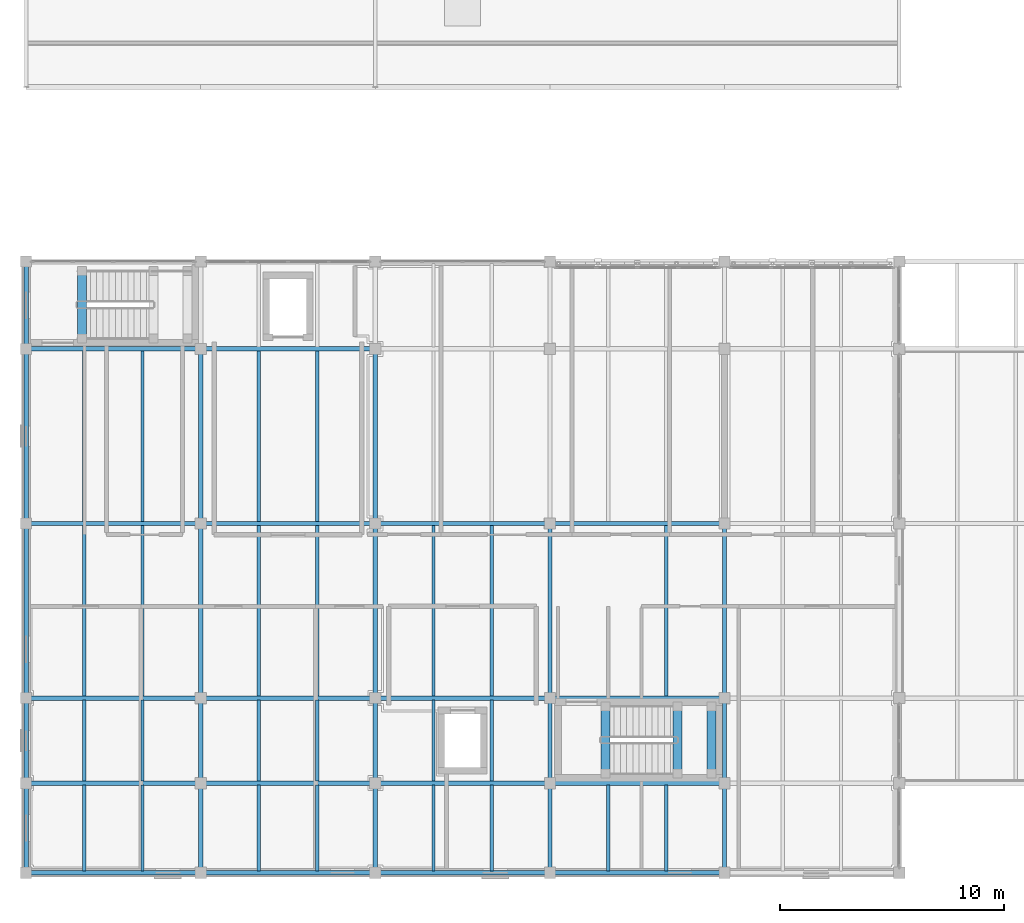
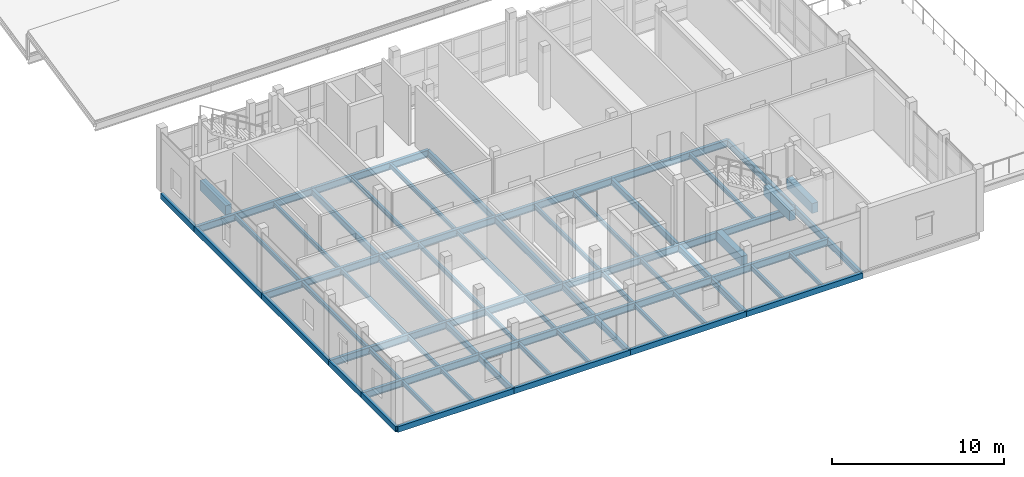
# One storey, part 5 of 89: 66 beams.
"""IFC4 building model written with IfcOpenShell, lengths in metres."""

from ifc_helpers import new_model, si_unit, direction, frame, origin, origin_2d, place, context, subcontext, project, spatial, rectangle, hollow_rectangle, i_section, extrude, material, material_profile, profile_set, type_object, element, save


model = new_model("IFC4")

# Units and contexts
model_context = context("Model", 3, precision=1e-05, world=origin(), true_north=direction((0.0, 1.0)))
body_context = subcontext(model_context, "Body", "Model", "MODEL_VIEW")
ifc_project = project(units=[si_unit("LENGTHUNIT", "METRE"), si_unit("AREAUNIT", "SQUARE_METRE"), si_unit("VOLUMEUNIT", "CUBIC_METRE"), si_unit("PLANEANGLEUNIT", "RADIAN"), si_unit("MASSUNIT", "GRAM", prefix="KILO")], contexts=[model_context])

# Site, building, storey
site_placement = place(None, origin())
site = spatial("IfcSite", under=ifc_project, at=site_placement, CompositionType="ELEMENT")
building_placement = place(site_placement, origin())
building = spatial("IfcBuilding", under=site, at=building_placement, Name="Celorna Specialist Clinic", CompositionType="ELEMENT")
storey_placement = place(building_placement, frame((0.0, 0.0, 14.10009765625)))
storey = spatial("IfcBuildingStorey", under=building, at=storey_placement, Name="L03", CompositionType="ELEMENT", Elevation=14.10009765625)

# Beams
ifc_material_1 = material(Name="Steel S355", Category="steel")
ifc_material_profile_1 = material_profile(ifc_material_1, i_section(OverallWidth=0.199951171875, OverallDepth=0.5, WebThickness=0.01025390625, FlangeThickness=0.01611328125, at=origin_2d()), Name="IPE 500")
ifc_profile_set_1 = profile_set([ifc_material_profile_1], Name="Steel S355")
beam_type_1 = type_object("IfcBeamType", Name="BM-08", PredefinedType="BEAM", material=ifc_profile_set_1)
for number, where, z_axis, x_axis, name in (
    (1, (0.0, 4.0, -0.510009765625), (1.0, 0.0, 0.0), (0.0, 1.0, 0.0), "Primary girder BM-08 #1830"),
    (2, (7.800048828125, 4.0, -0.510009765625), (1.0, 0.0, 0.0), (0.0, 1.0, 0.0), "Primary girder BM-08 #1831"),
):
    element("IfcBeam", number, at=place(storey_placement, frame(where, z_axis=z_axis, x_axis=x_axis)), inside=storey, type_object=beam_type_1, Name=name, PredefinedType="BEAM", context=body_context, shape_type="SweptSolid", body=[
        extrude(i_section(OverallWidth=0.199951171875, OverallDepth=0.5, WebThickness=0.01025390625, FlangeThickness=0.01611328125, at=origin_2d()), origin(), (0.0, 0.0, 1.0), 7.800048828125),
    ])
beam_1_placement = place(storey_placement, frame((15.60009765625, 4.0, -0.510009765625), z_axis=(1.0, 0.0, 0.0), x_axis=(0.0, 1.0, 0.0)))
element("IfcBeam", 3, at=beam_1_placement, inside=storey, type_object=beam_type_1, Name="Primary girder BM-08 #1832", PredefinedType="BEAM", context=body_context, shape_type="SweptSolid", body=[
    extrude(i_section(OverallWidth=0.199951171875, OverallDepth=0.5, WebThickness=0.01025390625, FlangeThickness=0.01611328125, at=origin_2d()), origin(), (0.0, 0.0, 1.0), 7.7998046875),
])
for number, where, z_axis, x_axis, name in (
    (4, (23.39990234375, 4.0, -0.510009765625), (1.0, 0.0, 0.0), (0.0, 1.0, 0.0), "Primary girder BM-08 #1833"),
    (5, (0.0, 7.800048828125, -0.510009765625), (1.0, 0.0, 0.0), (0.0, 1.0, 0.0), "Primary girder BM-08 #1835"),
    (6, (7.800048828125, 7.800048828125, -0.510009765625), (1.0, 0.0, 0.0), (0.0, 1.0, 0.0), "Primary girder BM-08 #1836"),
):
    element("IfcBeam", number, at=place(storey_placement, frame(where, z_axis=z_axis, x_axis=x_axis)), inside=storey, type_object=beam_type_1, Name=name, PredefinedType="BEAM", context=body_context, shape_type="SweptSolid", body=[
        extrude(i_section(OverallWidth=0.199951171875, OverallDepth=0.5, WebThickness=0.01025390625, FlangeThickness=0.01611328125, at=origin_2d()), origin(), (0.0, 0.0, 1.0), 7.800048828125),
    ])
beam_2_placement = place(storey_placement, frame((15.60009765625, 7.800048828125, -0.510009765625), z_axis=(1.0, 0.0, 0.0), x_axis=(0.0, 1.0, 0.0)))
element("IfcBeam", 7, at=beam_2_placement, inside=storey, type_object=beam_type_1, Name="Primary girder BM-08 #1837", PredefinedType="BEAM", context=body_context, shape_type="SweptSolid", body=[
    extrude(i_section(OverallWidth=0.199951171875, OverallDepth=0.5, WebThickness=0.01025390625, FlangeThickness=0.01611328125, at=origin_2d()), origin(), (0.0, 0.0, 1.0), 7.7998046875),
])
for number, where, z_axis, x_axis, name in (
    (8, (23.39990234375, 7.800048828125, -0.510009765625), (1.0, 0.0, 0.0), (0.0, 1.0, 0.0), "Primary girder BM-08 #1838"),
    (9, (0.0, 15.60009765625, -0.510009765625), (1.0, 0.0, 0.0), (0.0, 1.0, 0.0), "Primary girder BM-08 #1840"),
    (10, (7.800048828125, 15.60009765625, -0.510009765625), (1.0, 0.0, 0.0), (0.0, 1.0, 0.0), "Primary girder BM-08 #1841"),
):
    element("IfcBeam", number, at=place(storey_placement, frame(where, z_axis=z_axis, x_axis=x_axis)), inside=storey, type_object=beam_type_1, Name=name, PredefinedType="BEAM", context=body_context, shape_type="SweptSolid", body=[
        extrude(i_section(OverallWidth=0.199951171875, OverallDepth=0.5, WebThickness=0.01025390625, FlangeThickness=0.01611328125, at=origin_2d()), origin(), (0.0, 0.0, 1.0), 7.800048828125),
    ])
beam_3_placement = place(storey_placement, frame((15.60009765625, 15.60009765625, -0.510009765625), z_axis=(1.0, 0.0, 0.0), x_axis=(0.0, 1.0, 0.0)))
element("IfcBeam", 11, at=beam_3_placement, inside=storey, type_object=beam_type_1, Name="Primary girder BM-08 #1842", PredefinedType="BEAM", context=body_context, shape_type="SweptSolid", body=[
    extrude(i_section(OverallWidth=0.199951171875, OverallDepth=0.5, WebThickness=0.01025390625, FlangeThickness=0.01611328125, at=origin_2d()), origin(), (0.0, 0.0, 1.0), 7.7998046875),
])
for number, where, z_axis, x_axis, name in (
    (12, (23.39990234375, 15.60009765625, -0.510009765625), (1.0, 0.0, 0.0), (0.0, 1.0, 0.0), "Primary girder BM-08 #1843"),
    (13, (0.0, 23.39990234375, -0.510009765625), (1.0, 0.0, 0.0), (0.0, 1.0, 0.0), "Primary girder BM-08 #1845"),
    (14, (7.800048828125, 23.39990234375, -0.510009765625), (1.0, 0.0, 0.0), (0.0, 1.0, 0.0), "Primary girder BM-08 #1846"),
):
    element("IfcBeam", number, at=place(storey_placement, frame(where, z_axis=z_axis, x_axis=x_axis)), inside=storey, type_object=beam_type_1, Name=name, PredefinedType="BEAM", context=body_context, shape_type="SweptSolid", body=[
        extrude(i_section(OverallWidth=0.199951171875, OverallDepth=0.5, WebThickness=0.01025390625, FlangeThickness=0.01611328125, at=origin_2d()), origin(), (0.0, 0.0, 1.0), 7.800048828125),
    ])
ifc_material_profile_2 = material_profile(ifc_material_1, i_section(OverallWidth=0.18994140625, OverallDepth=0.449951171875, WebThickness=0.009521484375, FlangeThickness=0.0146484375, at=origin_2d()), Name="IPE 450")
ifc_profile_set_2 = profile_set([ifc_material_profile_2], Name="Steel S355")
beam_type_2 = type_object("IfcBeamType", Name="BM-09", PredefinedType="BEAM", material=ifc_profile_set_2)
beam_4_placement = place(storey_placement, frame((7.800048828125, 0.0, -0.485107421875), z_axis=(0.0, 1.0, 0.0), x_axis=(-1.0, 0.0, 0.0)))
element("IfcBeam", 15, at=beam_4_placement, inside=storey, type_object=beam_type_2, Name="Transverse girder BM-09 #1860", PredefinedType="BEAM", context=body_context, shape_type="SweptSolid", body=[
    extrude(i_section(OverallWidth=0.18994140625, OverallDepth=0.449951171875, WebThickness=0.009521484375, FlangeThickness=0.0146484375, at=origin_2d()), origin(), (0.0, 0.0, 1.0), 4.0),
])
beam_5_placement = place(storey_placement, frame((7.800048828125, 4.0, -0.485107421875), z_axis=(0.0, 1.0, 0.0), x_axis=(-1.0, 0.0, 0.0)))
element("IfcBeam", 16, at=beam_5_placement, inside=storey, type_object=beam_type_2, Name="Transverse girder BM-09 #1861", PredefinedType="BEAM", context=body_context, shape_type="SweptSolid", body=[
    extrude(i_section(OverallWidth=0.18994140625, OverallDepth=0.449951171875, WebThickness=0.009521484375, FlangeThickness=0.0146484375, at=origin_2d()), origin(), (0.0, 0.0, 1.0), 3.800048828125),
])
beam_6_placement = place(storey_placement, frame((7.800048828125, 7.800048828125, -0.485107421875), z_axis=(0.0, 1.0, 0.0), x_axis=(-1.0, 0.0, 0.0)))
element("IfcBeam", 17, at=beam_6_placement, inside=storey, type_object=beam_type_2, Name="Transverse girder BM-09 #1862", PredefinedType="BEAM", context=body_context, shape_type="SweptSolid", body=[
    extrude(i_section(OverallWidth=0.18994140625, OverallDepth=0.449951171875, WebThickness=0.009521484375, FlangeThickness=0.0146484375, at=origin_2d()), origin(), (0.0, 0.0, 1.0), 7.800048828125),
])
beam_7_placement = place(storey_placement, frame((7.800048828125, 15.60009765625, -0.485107421875), z_axis=(0.0, 1.0, 0.0), x_axis=(-1.0, 0.0, 0.0)))
element("IfcBeam", 18, at=beam_7_placement, inside=storey, type_object=beam_type_2, Name="Transverse girder BM-09 #1863", PredefinedType="BEAM", context=body_context, shape_type="SweptSolid", body=[
    extrude(i_section(OverallWidth=0.18994140625, OverallDepth=0.449951171875, WebThickness=0.009521484375, FlangeThickness=0.0146484375, at=origin_2d()), origin(), (0.0, 0.0, 1.0), 7.7998046875),
])
beam_8_placement = place(storey_placement, frame((15.60009765625, 0.0, -0.485107421875), z_axis=(0.0, 1.0, 0.0), x_axis=(-1.0, 0.0, 0.0)))
element("IfcBeam", 19, at=beam_8_placement, inside=storey, type_object=beam_type_2, Name="Transverse girder BM-09 #1865", PredefinedType="BEAM", context=body_context, shape_type="SweptSolid", body=[
    extrude(i_section(OverallWidth=0.18994140625, OverallDepth=0.449951171875, WebThickness=0.009521484375, FlangeThickness=0.0146484375, at=origin_2d()), origin(), (0.0, 0.0, 1.0), 4.0),
])
beam_9_placement = place(storey_placement, frame((15.60009765625, 4.0, -0.485107421875), z_axis=(0.0, 1.0, 0.0), x_axis=(-1.0, 0.0, 0.0)))
element("IfcBeam", 20, at=beam_9_placement, inside=storey, type_object=beam_type_2, Name="Transverse girder BM-09 #1866", PredefinedType="BEAM", context=body_context, shape_type="SweptSolid", body=[
    extrude(i_section(OverallWidth=0.18994140625, OverallDepth=0.449951171875, WebThickness=0.009521484375, FlangeThickness=0.0146484375, at=origin_2d()), origin(), (0.0, 0.0, 1.0), 3.800048828125),
])
beam_10_placement = place(storey_placement, frame((15.60009765625, 7.800048828125, -0.485107421875), z_axis=(0.0, 1.0, 0.0), x_axis=(-1.0, 0.0, 0.0)))
element("IfcBeam", 21, at=beam_10_placement, inside=storey, type_object=beam_type_2, Name="Transverse girder BM-09 #1867", PredefinedType="BEAM", context=body_context, shape_type="SweptSolid", body=[
    extrude(i_section(OverallWidth=0.18994140625, OverallDepth=0.449951171875, WebThickness=0.009521484375, FlangeThickness=0.0146484375, at=origin_2d()), origin(), (0.0, 0.0, 1.0), 7.800048828125),
])
beam_11_placement = place(storey_placement, frame((15.60009765625, 15.60009765625, -0.485107421875), z_axis=(0.0, 1.0, 0.0), x_axis=(-1.0, 0.0, 0.0)))
element("IfcBeam", 22, at=beam_11_placement, inside=storey, type_object=beam_type_2, Name="Transverse girder BM-09 #1868", PredefinedType="BEAM", context=body_context, shape_type="SweptSolid", body=[
    extrude(i_section(OverallWidth=0.18994140625, OverallDepth=0.449951171875, WebThickness=0.009521484375, FlangeThickness=0.0146484375, at=origin_2d()), origin(), (0.0, 0.0, 1.0), 7.7998046875),
])
beam_12_placement = place(storey_placement, frame((23.39990234375, 0.0, -0.485107421875), z_axis=(0.0, 1.0, 0.0), x_axis=(-1.0, 0.0, 0.0)))
element("IfcBeam", 23, at=beam_12_placement, inside=storey, type_object=beam_type_2, Name="Transverse girder BM-09 #1870", PredefinedType="BEAM", context=body_context, shape_type="SweptSolid", body=[
    extrude(i_section(OverallWidth=0.18994140625, OverallDepth=0.449951171875, WebThickness=0.009521484375, FlangeThickness=0.0146484375, at=origin_2d()), origin(), (0.0, 0.0, 1.0), 4.0),
])
beam_13_placement = place(storey_placement, frame((23.39990234375, 4.0, -0.485107421875), z_axis=(0.0, 1.0, 0.0), x_axis=(-1.0, 0.0, 0.0)))
element("IfcBeam", 24, at=beam_13_placement, inside=storey, type_object=beam_type_2, Name="Transverse girder BM-09 #1871", PredefinedType="BEAM", context=body_context, shape_type="SweptSolid", body=[
    extrude(i_section(OverallWidth=0.18994140625, OverallDepth=0.449951171875, WebThickness=0.009521484375, FlangeThickness=0.0146484375, at=origin_2d()), origin(), (0.0, 0.0, 1.0), 3.800048828125),
])
beam_14_placement = place(storey_placement, frame((23.39990234375, 7.800048828125, -0.485107421875), z_axis=(0.0, 1.0, 0.0), x_axis=(-1.0, 0.0, 0.0)))
element("IfcBeam", 25, at=beam_14_placement, inside=storey, type_object=beam_type_2, Name="Transverse girder BM-09 #1872", PredefinedType="BEAM", context=body_context, shape_type="SweptSolid", body=[
    extrude(i_section(OverallWidth=0.18994140625, OverallDepth=0.449951171875, WebThickness=0.009521484375, FlangeThickness=0.0146484375, at=origin_2d()), origin(), (0.0, 0.0, 1.0), 7.800048828125),
])
beam_15_placement = place(storey_placement, frame((31.199951171875, 0.0, -0.485107421875), z_axis=(0.0, 1.0, 0.0), x_axis=(-1.0, 0.0, 0.0)))
element("IfcBeam", 26, at=beam_15_placement, inside=storey, type_object=beam_type_2, Name="Transverse girder BM-09 #1875", PredefinedType="BEAM", context=body_context, shape_type="SweptSolid", body=[
    extrude(i_section(OverallWidth=0.18994140625, OverallDepth=0.449951171875, WebThickness=0.009521484375, FlangeThickness=0.0146484375, at=origin_2d()), origin(), (0.0, 0.0, 1.0), 4.0),
])
beam_16_placement = place(storey_placement, frame((31.199951171875, 4.0, -0.485107421875), z_axis=(0.0, 1.0, 0.0), x_axis=(-1.0, 0.0, 0.0)))
element("IfcBeam", 27, at=beam_16_placement, inside=storey, type_object=beam_type_2, Name="Transverse girder BM-09 #1876", PredefinedType="BEAM", context=body_context, shape_type="SweptSolid", body=[
    extrude(i_section(OverallWidth=0.18994140625, OverallDepth=0.449951171875, WebThickness=0.009521484375, FlangeThickness=0.0146484375, at=origin_2d()), origin(), (0.0, 0.0, 1.0), 3.800048828125),
])
beam_17_placement = place(storey_placement, frame((31.199951171875, 7.800048828125, -0.485107421875), z_axis=(0.0, 1.0, 0.0), x_axis=(-1.0, 0.0, 0.0)))
element("IfcBeam", 28, at=beam_17_placement, inside=storey, type_object=beam_type_2, Name="Transverse girder BM-09 #1877", PredefinedType="BEAM", context=body_context, shape_type="SweptSolid", body=[
    extrude(i_section(OverallWidth=0.18994140625, OverallDepth=0.449951171875, WebThickness=0.009521484375, FlangeThickness=0.0146484375, at=origin_2d()), origin(), (0.0, 0.0, 1.0), 7.800048828125),
])
ifc_material_profile_3 = material_profile(ifc_material_1, i_section(OverallWidth=0.14990234375, OverallDepth=0.300048828125, WebThickness=0.007080078125, FlangeThickness=0.0107421875, at=origin_2d()), Name="IPE 300")
ifc_profile_set_3 = profile_set([ifc_material_profile_3], Name="Steel S355")
beam_type_3 = type_object("IfcBeamType", Name="BM-13", PredefinedType="JOIST", material=ifc_profile_set_3)
for number, where, z_axis, x_axis, name in (
    (29, (2.60009765625, 0.087890625, -0.41015625), (0.0, 1.0, 0.0), (-1.0, 0.0, 0.0), "Secondary floor joist BM-13 #1885"),
    (30, (5.199951171875, 0.087890625, -0.41015625), (0.0, 1.0, 0.0), (-1.0, 0.0, 0.0), "Secondary floor joist BM-13 #1886"),
):
    element("IfcBeam", number, at=place(storey_placement, frame(where, z_axis=z_axis, x_axis=x_axis)), inside=storey, type_object=beam_type_3, Name=name, PredefinedType="JOIST", context=body_context, shape_type="SweptSolid", body=[
        extrude(i_section(OverallWidth=0.14990234375, OverallDepth=0.300048828125, WebThickness=0.007080078125, FlangeThickness=0.0107421875, at=origin_2d()), origin(), (0.0, 0.0, 1.0), 3.82421875),
    ])
for number, where, z_axis, x_axis, name in (
    (31, (2.60009765625, 4.087890625, -0.41015625), (0.0, 1.0, 0.0), (-1.0, 0.0, 0.0), "Secondary floor joist BM-13 #1887"),
    (32, (5.199951171875, 4.087890625, -0.41015625), (0.0, 1.0, 0.0), (-1.0, 0.0, 0.0), "Secondary floor joist BM-13 #1888"),
):
    element("IfcBeam", number, at=place(storey_placement, frame(where, z_axis=z_axis, x_axis=x_axis)), inside=storey, type_object=beam_type_3, Name=name, PredefinedType="JOIST", context=body_context, shape_type="SweptSolid", body=[
        extrude(i_section(OverallWidth=0.14990234375, OverallDepth=0.300048828125, WebThickness=0.007080078125, FlangeThickness=0.0107421875, at=origin_2d()), origin(), (0.0, 0.0, 1.0), 3.6240234375),
    ])
for number, where, z_axis, x_axis, name in (
    (33, (2.60009765625, 7.887939453125, -0.41015625), (0.0, 1.0, 0.0), (-1.0, 0.0, 0.0), "Secondary floor joist BM-13 #1889"),
    (34, (5.199951171875, 7.887939453125, -0.41015625), (0.0, 1.0, 0.0), (-1.0, 0.0, 0.0), "Secondary floor joist BM-13 #1890"),
    (35, (2.60009765625, 15.68798828125, -0.41015625), (0.0, 1.0, 0.0), (-1.0, 0.0, 0.0), "Secondary floor joist BM-13 #1891"),
    (36, (5.199951171875, 15.68798828125, -0.41015625), (0.0, 1.0, 0.0), (-1.0, 0.0, 0.0), "Secondary floor joist BM-13 #1892"),
):
    element("IfcBeam", number, at=place(storey_placement, frame(where, z_axis=z_axis, x_axis=x_axis)), inside=storey, type_object=beam_type_3, Name=name, PredefinedType="JOIST", context=body_context, shape_type="SweptSolid", body=[
        extrude(i_section(OverallWidth=0.14990234375, OverallDepth=0.300048828125, WebThickness=0.007080078125, FlangeThickness=0.0107421875, at=origin_2d()), origin(), (0.0, 0.0, 1.0), 7.6240234375),
    ])
for number, where, z_axis, x_axis, name in (
    (37, (10.39990234375, 0.087890625, -0.41015625), (0.0, 1.0, 0.0), (-1.0, 0.0, 0.0), "Secondary floor joist BM-13 #1893"),
    (38, (13.0, 0.087890625, -0.41015625), (0.0, 1.0, 0.0), (-1.0, 0.0, 0.0), "Secondary floor joist BM-13 #1894"),
):
    element("IfcBeam", number, at=place(storey_placement, frame(where, z_axis=z_axis, x_axis=x_axis)), inside=storey, type_object=beam_type_3, Name=name, PredefinedType="JOIST", context=body_context, shape_type="SweptSolid", body=[
        extrude(i_section(OverallWidth=0.14990234375, OverallDepth=0.300048828125, WebThickness=0.007080078125, FlangeThickness=0.0107421875, at=origin_2d()), origin(), (0.0, 0.0, 1.0), 3.82421875),
    ])
for number, where, z_axis, x_axis, name in (
    (39, (10.39990234375, 4.087890625, -0.41015625), (0.0, 1.0, 0.0), (-1.0, 0.0, 0.0), "Secondary floor joist BM-13 #1895"),
    (40, (13.0, 4.087890625, -0.41015625), (0.0, 1.0, 0.0), (-1.0, 0.0, 0.0), "Secondary floor joist BM-13 #1896"),
):
    element("IfcBeam", number, at=place(storey_placement, frame(where, z_axis=z_axis, x_axis=x_axis)), inside=storey, type_object=beam_type_3, Name=name, PredefinedType="JOIST", context=body_context, shape_type="SweptSolid", body=[
        extrude(i_section(OverallWidth=0.14990234375, OverallDepth=0.300048828125, WebThickness=0.007080078125, FlangeThickness=0.0107421875, at=origin_2d()), origin(), (0.0, 0.0, 1.0), 3.6240234375),
    ])
for number, where, z_axis, x_axis, name in (
    (41, (10.39990234375, 7.887939453125, -0.41015625), (0.0, 1.0, 0.0), (-1.0, 0.0, 0.0), "Secondary floor joist BM-13 #1897"),
    (42, (13.0, 7.887939453125, -0.41015625), (0.0, 1.0, 0.0), (-1.0, 0.0, 0.0), "Secondary floor joist BM-13 #1898"),
    (43, (10.39990234375, 15.68798828125, -0.41015625), (0.0, 1.0, 0.0), (-1.0, 0.0, 0.0), "Secondary floor joist BM-13 #1899"),
    (44, (13.0, 15.68798828125, -0.41015625), (0.0, 1.0, 0.0), (-1.0, 0.0, 0.0), "Secondary floor joist BM-13 #1900"),
):
    element("IfcBeam", number, at=place(storey_placement, frame(where, z_axis=z_axis, x_axis=x_axis)), inside=storey, type_object=beam_type_3, Name=name, PredefinedType="JOIST", context=body_context, shape_type="SweptSolid", body=[
        extrude(i_section(OverallWidth=0.14990234375, OverallDepth=0.300048828125, WebThickness=0.007080078125, FlangeThickness=0.0107421875, at=origin_2d()), origin(), (0.0, 0.0, 1.0), 7.6240234375),
    ])
for number, where, z_axis, x_axis, name in (
    (45, (18.199951171875, 0.087890625, -0.41015625), (0.0, 1.0, 0.0), (-1.0, 0.0, 0.0), "Secondary floor joist BM-13 #1903"),
    (46, (20.800048828125, 0.087890625, -0.41015625), (0.0, 1.0, 0.0), (-1.0, 0.0, 0.0), "Secondary floor joist BM-13 #1904"),
):
    element("IfcBeam", number, at=place(storey_placement, frame(where, z_axis=z_axis, x_axis=x_axis)), inside=storey, type_object=beam_type_3, Name=name, PredefinedType="JOIST", context=body_context, shape_type="SweptSolid", body=[
        extrude(i_section(OverallWidth=0.14990234375, OverallDepth=0.300048828125, WebThickness=0.007080078125, FlangeThickness=0.0107421875, at=origin_2d()), origin(), (0.0, 0.0, 1.0), 3.82421875),
    ])
for number, where, z_axis, x_axis, name in (
    (47, (18.199951171875, 4.087890625, -0.41015625), (0.0, 1.0, 0.0), (-1.0, 0.0, 0.0), "Secondary floor joist BM-13 #1905"),
    (48, (20.800048828125, 4.087890625, -0.41015625), (0.0, 1.0, 0.0), (-1.0, 0.0, 0.0), "Secondary floor joist BM-13 #1906"),
):
    element("IfcBeam", number, at=place(storey_placement, frame(where, z_axis=z_axis, x_axis=x_axis)), inside=storey, type_object=beam_type_3, Name=name, PredefinedType="JOIST", context=body_context, shape_type="SweptSolid", body=[
        extrude(i_section(OverallWidth=0.14990234375, OverallDepth=0.300048828125, WebThickness=0.007080078125, FlangeThickness=0.0107421875, at=origin_2d()), origin(), (0.0, 0.0, 1.0), 3.6240234375),
    ])
for number, where, z_axis, x_axis, name in (
    (49, (18.199951171875, 7.887939453125, -0.41015625), (0.0, 1.0, 0.0), (-1.0, 0.0, 0.0), "Secondary floor joist BM-13 #1907"),
    (50, (20.800048828125, 7.887939453125, -0.41015625), (0.0, 1.0, 0.0), (-1.0, 0.0, 0.0), "Secondary floor joist BM-13 #1908"),
):
    element("IfcBeam", number, at=place(storey_placement, frame(where, z_axis=z_axis, x_axis=x_axis)), inside=storey, type_object=beam_type_3, Name=name, PredefinedType="JOIST", context=body_context, shape_type="SweptSolid", body=[
        extrude(i_section(OverallWidth=0.14990234375, OverallDepth=0.300048828125, WebThickness=0.007080078125, FlangeThickness=0.0107421875, at=origin_2d()), origin(), (0.0, 0.0, 1.0), 7.6240234375),
    ])
for number, where, z_axis, x_axis, name in (
    (51, (26.0, 0.087890625, -0.41015625), (0.0, 1.0, 0.0), (-1.0, 0.0, 0.0), "Secondary floor joist BM-13 #1913"),
    (52, (28.60009765625, 0.087890625, -0.41015625), (0.0, 1.0, 0.0), (-1.0, 0.0, 0.0), "Secondary floor joist BM-13 #1914"),
):
    element("IfcBeam", number, at=place(storey_placement, frame(where, z_axis=z_axis, x_axis=x_axis)), inside=storey, type_object=beam_type_3, Name=name, PredefinedType="JOIST", context=body_context, shape_type="SweptSolid", body=[
        extrude(i_section(OverallWidth=0.14990234375, OverallDepth=0.300048828125, WebThickness=0.007080078125, FlangeThickness=0.0107421875, at=origin_2d()), origin(), (0.0, 0.0, 1.0), 3.82421875),
    ])
beam_18_placement = place(storey_placement, frame((28.60009765625, 7.887939453125, -0.41015625), z_axis=(0.0, 1.0, 0.0), x_axis=(-1.0, 0.0, 0.0)))
element("IfcBeam", 53, at=beam_18_placement, inside=storey, type_object=beam_type_3, Name="Secondary floor joist BM-13 #1915", PredefinedType="JOIST", context=body_context, shape_type="SweptSolid", body=[
    extrude(i_section(OverallWidth=0.14990234375, OverallDepth=0.300048828125, WebThickness=0.007080078125, FlangeThickness=0.0107421875, at=origin_2d()), origin(), (0.0, 0.0, 1.0), 7.6240234375),
])
ifc_material_profile_4 = material_profile(ifc_material_1, hollow_rectangle(XDim=0.199951171875, YDim=0.39990234375, WallThickness=0.011962890625, at=origin_2d()), Name="RHS 200x400x12")
ifc_profile_set_4 = profile_set([ifc_material_profile_4], Name="Steel S355")
beam_type_4 = type_object("IfcBeamType", Name="BM-15", PredefinedType="SPANDREL", material=ifc_profile_set_4)
for number, where, z_axis, x_axis, name in (
    (54, (0.0, 0.0, -0.460205078125), (1.0, 0.0, 0.0), (0.0, 1.0, 0.0), "Spandrel beam BM-15 #1825"),
    (55, (7.800048828125, 0.0, -0.460205078125), (1.0, 0.0, 0.0), (0.0, 1.0, 0.0), "Spandrel beam BM-15 #1826"),
):
    element("IfcBeam", number, at=place(storey_placement, frame(where, z_axis=z_axis, x_axis=x_axis)), inside=storey, type_object=beam_type_4, Name=name, PredefinedType="SPANDREL", context=body_context, shape_type="SweptSolid", body=[
        extrude(hollow_rectangle(XDim=0.199951171875, YDim=0.39990234375, WallThickness=0.011962890625, at=origin_2d()), origin(), (0.0, 0.0, 1.0), 7.800048828125),
    ])
beam_19_placement = place(storey_placement, frame((15.60009765625, 0.0, -0.460205078125), z_axis=(1.0, 0.0, 0.0), x_axis=(0.0, 1.0, 0.0)))
element("IfcBeam", 56, at=beam_19_placement, inside=storey, type_object=beam_type_4, Name="Spandrel beam BM-15 #1827", PredefinedType="SPANDREL", context=body_context, shape_type="SweptSolid", body=[
    extrude(hollow_rectangle(XDim=0.199951171875, YDim=0.39990234375, WallThickness=0.011962890625, at=origin_2d()), origin(), (0.0, 0.0, 1.0), 7.7998046875),
])
beam_20_placement = place(storey_placement, frame((23.39990234375, 0.0, -0.460205078125), z_axis=(1.0, 0.0, 0.0), x_axis=(0.0, 1.0, 0.0)))
element("IfcBeam", 57, at=beam_20_placement, inside=storey, type_object=beam_type_4, Name="Spandrel beam BM-15 #1828", PredefinedType="SPANDREL", context=body_context, shape_type="SweptSolid", body=[
    extrude(hollow_rectangle(XDim=0.199951171875, YDim=0.39990234375, WallThickness=0.011962890625, at=origin_2d()), origin(), (0.0, 0.0, 1.0), 7.800048828125),
])
beam_21_placement = place(storey_placement, frame((0.0, 0.0, -0.460205078125), z_axis=(0.0, 1.0, 0.0), x_axis=(-1.0, 0.0, 0.0)))
element("IfcBeam", 58, at=beam_21_placement, inside=storey, type_object=beam_type_4, Name="Spandrel beam BM-15 #1855", PredefinedType="SPANDREL", context=body_context, shape_type="SweptSolid", body=[
    extrude(hollow_rectangle(XDim=0.199951171875, YDim=0.39990234375, WallThickness=0.011962890625, at=origin_2d()), origin(), (0.0, 0.0, 1.0), 4.0),
])
beam_22_placement = place(storey_placement, frame((0.0, 4.0, -0.460205078125), z_axis=(0.0, 1.0, 0.0), x_axis=(-1.0, 0.0, 0.0)))
element("IfcBeam", 59, at=beam_22_placement, inside=storey, type_object=beam_type_4, Name="Spandrel beam BM-15 #1856", PredefinedType="SPANDREL", context=body_context, shape_type="SweptSolid", body=[
    extrude(hollow_rectangle(XDim=0.199951171875, YDim=0.39990234375, WallThickness=0.011962890625, at=origin_2d()), origin(), (0.0, 0.0, 1.0), 3.800048828125),
])
beam_23_placement = place(storey_placement, frame((0.0, 7.800048828125, -0.460205078125), z_axis=(0.0, 1.0, 0.0), x_axis=(-1.0, 0.0, 0.0)))
element("IfcBeam", 60, at=beam_23_placement, inside=storey, type_object=beam_type_4, Name="Spandrel beam BM-15 #1857", PredefinedType="SPANDREL", context=body_context, shape_type="SweptSolid", body=[
    extrude(hollow_rectangle(XDim=0.199951171875, YDim=0.39990234375, WallThickness=0.011962890625, at=origin_2d()), origin(), (0.0, 0.0, 1.0), 7.800048828125),
])
beam_24_placement = place(storey_placement, frame((0.0, 15.60009765625, -0.460205078125), z_axis=(0.0, 1.0, 0.0), x_axis=(-1.0, 0.0, 0.0)))
element("IfcBeam", 61, at=beam_24_placement, inside=storey, type_object=beam_type_4, Name="Spandrel beam BM-15 #1858", PredefinedType="SPANDREL", context=body_context, shape_type="SweptSolid", body=[
    extrude(hollow_rectangle(XDim=0.199951171875, YDim=0.39990234375, WallThickness=0.011962890625, at=origin_2d()), origin(), (0.0, 0.0, 1.0), 7.7998046875),
])
beam_25_placement = place(storey_placement, frame((0.0, 23.39990234375, -0.460205078125), z_axis=(0.0, 1.0, 0.0), x_axis=(-1.0, 0.0, 0.0)))
element("IfcBeam", 62, at=beam_25_placement, inside=storey, type_object=beam_type_4, Name="Spandrel beam BM-15 #1859", PredefinedType="SPANDREL", context=body_context, shape_type="SweptSolid", body=[
    extrude(hollow_rectangle(XDim=0.199951171875, YDim=0.39990234375, WallThickness=0.011962890625, at=origin_2d()), origin(), (0.0, 0.0, 1.0), 3.900146484375),
])
ifc_material_2 = material(Name="Concrete C35/45", Category="concrete")
ifc_material_profile_5 = material_profile(ifc_material_2, rectangle(XDim=0.39990234375, YDim=0.699951171875, at=origin_2d()), Name="RC 400x700")
ifc_profile_set_5 = profile_set([ifc_material_profile_5], Name="Concrete C35/45")
beam_type_5 = type_object("IfcBeamType", Name="BM-19", PredefinedType="BEAM", material=ifc_profile_set_5)
for number, where, z_axis, x_axis, name in (
    (63, (2.489990234375, 23.8701171875, -0.275146484375), (0.0, 1.0, 0.0), (-1.0, 0.0, 0.0), "Stair ST-04 floor landing trimmer beam L03"),
    (64, (25.889892578125, 4.429931640625, -0.275146484375), (0.0, 1.0, 0.0), (-1.0, 0.0, 0.0), "Stair ST-05 floor landing trimmer beam L03"),
    (65, (29.090087890625, 4.429931640625, 1.824951171875), (0.0, 1.0, 0.0), (-1.0, 0.0, 0.0), "Stair ST-05 half-landing beam L03"),
    (66, (30.610107421875, 4.429931640625, 1.824951171875), (0.0, 1.0, 0.0), (-1.0, 0.0, 0.0), "Stair ST-05 half-landing beam L03"),
):
    element("IfcBeam", number, at=place(storey_placement, frame(where, z_axis=z_axis, x_axis=x_axis)), inside=storey, type_object=beam_type_5, Name=name, PredefinedType="BEAM", context=body_context, shape_type="SweptSolid", body=[
        extrude(rectangle(XDim=0.39990234375, YDim=0.699951171875, at=origin_2d()), origin(), (0.0, 0.0, 1.0), 3.0),
    ])

save(model, "model.ifc")
